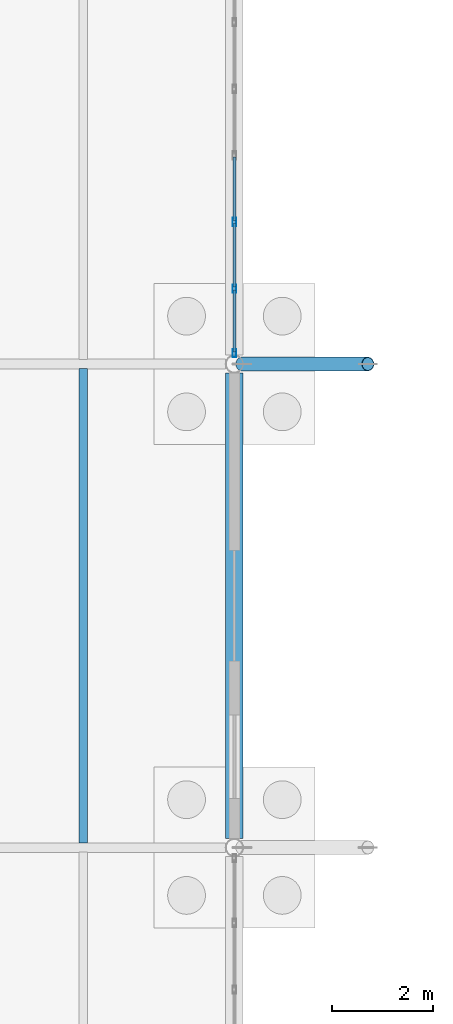
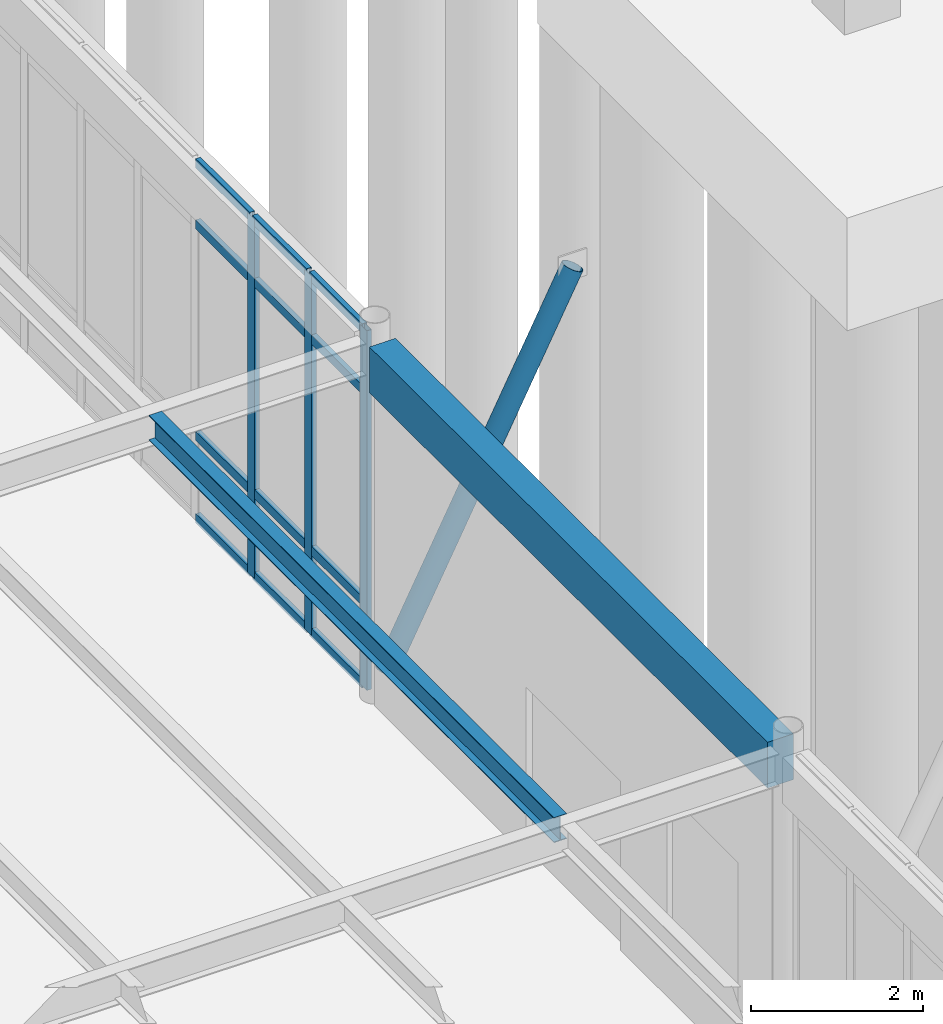
# One storey, part 33 of 188: 16 members, 2 beams, 1 element without a shape of its own.
"""IFC4 building model written with IfcOpenShell, lengths in metres."""

from ifc_helpers import new_model, si_unit, direction, frame, origin, origin_2d, place, context, subcontext, project, spatial, rectangle, hollow_rectangle, hollow_circle, i_section, extrude, material, layer, layer_set, material_profile, profile_set, type_object, element, aggregate, save


model = new_model("IFC4")

# Units and contexts
model_context = context("Model", 3, precision=1e-05, world=origin(), true_north=direction((0.0, 1.0)))
body_context = subcontext(model_context, "Body", "Model", "MODEL_VIEW")
ifc_project = project(units=[si_unit("LENGTHUNIT", "METRE"), si_unit("AREAUNIT", "SQUARE_METRE"), si_unit("VOLUMEUNIT", "CUBIC_METRE"), si_unit("PLANEANGLEUNIT", "RADIAN"), si_unit("MASSUNIT", "GRAM", prefix="KILO")], contexts=[model_context])

# Site, building, storey
site_placement = place(None, origin())
site = spatial("IfcSite", under=ifc_project, at=site_placement, CompositionType="ELEMENT")
building_placement = place(site_placement, origin())
building = spatial("IfcBuilding", under=site, at=building_placement, Name="Pandanus Reach Market Hall", CompositionType="ELEMENT")
storey_placement = place(building_placement, origin())
storey = spatial("IfcBuildingStorey", under=building, at=storey_placement, Name="L00", CompositionType="ELEMENT", Elevation=0.0)

# Beam
ifc_material_1 = material(Name="Concrete N40 (40 MPa)", Category="concrete")
ifc_material_profile_1 = material_profile(ifc_material_1, rectangle(XDim=0.35009765625, YDim=0.64990234375, at=origin_2d()), Name="RC350x650", Category="LoadBearing")
ifc_profile_set_1 = profile_set([ifc_material_profile_1], Name="Concrete N40 (40 MPa)")
beam_type_1 = type_object("IfcBeamType", Name="BM-RC350-E", PredefinedType="SPANDREL", material=ifc_profile_set_1)
beam_1_placement = place(storey_placement, frame((36.0, 9.77587890625, 4.784912109375), z_axis=(0.0, 1.0, 0.0), x_axis=(-1.0, 0.0, 0.0)))
element("IfcBeam", 1, at=beam_1_placement, inside=storey, type_object=beam_type_1, Name="Framing beam BM-RC350-E L00.943", PredefinedType="SPANDREL", context=body_context, shape_type="SweptSolid", body=[
    extrude(rectangle(XDim=0.35009765625, YDim=0.64990234375, at=origin_2d()), origin(), (0.0, 0.0, 1.0), 9.248291015625),
])

# Curtain wall, members
ifc_material_2 = material(Name="Bronze anodised aluminium and low-E glass", Category="aluminium")
ifc_layer = layer(ifc_material_2, 0.159912109375, Name="CW-14")
ifc_layer_set = layer_set([ifc_layer], Name="Bronze anodised aluminium and low-E glass")
curtain_wall_type = type_object("IfcCurtainWallType", Name="CW-14", PredefinedType="NOTDEFINED", material=ifc_layer_set)
curtain_wall_placement = place(storey_placement, origin())
curtain_wall = element("IfcCurtainWall", 2, at=curtain_wall_placement, inside=storey, type_object=curtain_wall_type, Name="Glazed curtain wall CW-14 CW-0053", PredefinedType="NOTDEFINED")
ifc_material_3 = material(Name="Bronze anodised aluminium", Category="aluminium")
ifc_material_profile_2 = material_profile(ifc_material_3, hollow_rectangle(XDim=0.06494140625, YDim=0.159912109375, WallThickness=0.00390625, at=origin_2d()), Name="ALU65x160", Category="LoadBearing")
ifc_profile_set_2 = profile_set([ifc_material_profile_2], Name="Bronze anodised aluminium")
member_type_1 = type_object("IfcMemberType", Name="CW-M1", PredefinedType="MULLION", material=ifc_profile_set_2)
member_1_placement = place(storey_placement, frame((36.0, 19.410400390625, 0.0), z_axis=(0.0, 0.0, 1.0), x_axis=(-1.0, 0.0, 0.0)))
member_1 = element("IfcMember", 3, at=member_1_placement, type_object=member_type_1, Name="CW-14 mullion 1", PredefinedType="MULLION", context=body_context, shape_type="SweptSolid", body=[
    extrude(hollow_rectangle(XDim=0.06494140625, YDim=0.159912109375, WallThickness=0.00390625, at=origin_2d()), origin(), (0.0, 0.0, 1.0), 5.10009765625),
])
member_2_placement = place(storey_placement, frame((36.0, 20.698486328125, 0.0), z_axis=(0.0, 0.0, 1.0), x_axis=(-1.0, 0.0, 0.0)))
member_2 = element("IfcMember", 4, at=member_2_placement, type_object=member_type_1, Name="CW-14 mullion 2", PredefinedType="MULLION", context=body_context, shape_type="SweptSolid", body=[
    extrude(hollow_rectangle(XDim=0.06494140625, YDim=0.159912109375, WallThickness=0.00390625, at=origin_2d()), origin(), (0.0, 0.0, 1.0), 5.10009765625),
])
member_3_placement = place(storey_placement, frame((36.0, 22.01904296875, 0.0), z_axis=(0.0, 0.0, 1.0), x_axis=(-1.0, 0.0, 0.0)))
member_3 = element("IfcMember", 5, at=member_3_placement, type_object=member_type_1, Name="CW-14 mullion 3", PredefinedType="MULLION", context=body_context, shape_type="SweptSolid", body=[
    extrude(hollow_rectangle(XDim=0.06494140625, YDim=0.159912109375, WallThickness=0.00390625, at=origin_2d()), origin(), (0.0, 0.0, 1.0), 5.10009765625),
])
ifc_material_profile_3 = material_profile(ifc_material_3, hollow_rectangle(XDim=0.06494140625, YDim=0.1298828125, WallThickness=0.00390625, at=origin_2d()), Name="ALU65x130", Category="LoadBearing")
ifc_profile_set_3 = profile_set([ifc_material_profile_3], Name="Bronze anodised aluminium")
member_type_2 = type_object("IfcMemberType", Name="CW-T1", PredefinedType="USERDEFINED", material=ifc_profile_set_3)
member_4_placement = place(storey_placement, frame((36.0, 19.44287109375, 0.032470703125), z_axis=(0.0, 1.0, 0.0), x_axis=(-1.0, 0.0, 0.0)))
member_4 = element("IfcMember", 6, at=member_4_placement, type_object=member_type_2, Name="CW-14 transom 1.1", ObjectType="TRANSOM", PredefinedType="USERDEFINED", context=body_context, shape_type="SweptSolid", body=[
    extrude(hollow_rectangle(XDim=0.06494140625, YDim=0.1298828125, WallThickness=0.00390625, at=origin_2d()), origin(), (0.0, 0.0, 1.0), 1.22314453125),
])
member_5_placement = place(storey_placement, frame((36.0, 19.44287109375, 1.199951171875), z_axis=(0.0, 1.0, 0.0), x_axis=(-1.0, 0.0, 0.0)))
member_5 = element("IfcMember", 7, at=member_5_placement, type_object=member_type_2, Name="CW-14 transom 1.2", ObjectType="TRANSOM", PredefinedType="USERDEFINED", context=body_context, shape_type="SweptSolid", body=[
    extrude(hollow_rectangle(XDim=0.06494140625, YDim=0.1298828125, WallThickness=0.00390625, at=origin_2d()), origin(), (0.0, 0.0, 1.0), 1.22314453125),
])
member_6_placement = place(storey_placement, frame((36.0, 19.44287109375, 4.199951171875), z_axis=(0.0, 1.0, 0.0), x_axis=(-1.0, 0.0, 0.0)))
member_6 = element("IfcMember", 8, at=member_6_placement, type_object=member_type_2, Name="CW-14 transom 1.3", ObjectType="TRANSOM", PredefinedType="USERDEFINED", context=body_context, shape_type="SweptSolid", body=[
    extrude(hollow_rectangle(XDim=0.06494140625, YDim=0.1298828125, WallThickness=0.00390625, at=origin_2d()), origin(), (0.0, 0.0, 1.0), 1.22314453125),
])
member_7_placement = place(storey_placement, frame((36.0, 19.44287109375, 5.0673828125), z_axis=(0.0, 1.0, 0.0), x_axis=(-1.0, 0.0, 0.0)))
member_7 = element("IfcMember", 9, at=member_7_placement, type_object=member_type_2, Name="CW-14 transom 1.4", ObjectType="TRANSOM", PredefinedType="USERDEFINED", context=body_context, shape_type="SweptSolid", body=[
    extrude(hollow_rectangle(XDim=0.06494140625, YDim=0.1298828125, WallThickness=0.00390625, at=origin_2d()), origin(), (0.0, 0.0, 1.0), 1.22314453125),
])
member_8_placement = place(storey_placement, frame((36.0, 20.73095703125, 0.032470703125), z_axis=(0.0, 1.0, 0.0), x_axis=(-1.0, 0.0, 0.0)))
member_8 = element("IfcMember", 10, at=member_8_placement, type_object=member_type_2, Name="CW-14 transom 2.1", ObjectType="TRANSOM", PredefinedType="USERDEFINED", context=body_context, shape_type="SweptSolid", body=[
    extrude(hollow_rectangle(XDim=0.06494140625, YDim=0.1298828125, WallThickness=0.00390625, at=origin_2d()), origin(), (0.0, 0.0, 1.0), 1.255615234375),
])
member_9_placement = place(storey_placement, frame((36.0, 20.73095703125, 1.199951171875), z_axis=(0.0, 1.0, 0.0), x_axis=(-1.0, 0.0, 0.0)))
member_9 = element("IfcMember", 11, at=member_9_placement, type_object=member_type_2, Name="CW-14 transom 2.2", ObjectType="TRANSOM", PredefinedType="USERDEFINED", context=body_context, shape_type="SweptSolid", body=[
    extrude(hollow_rectangle(XDim=0.06494140625, YDim=0.1298828125, WallThickness=0.00390625, at=origin_2d()), origin(), (0.0, 0.0, 1.0), 1.255615234375),
])
member_10_placement = place(storey_placement, frame((36.0, 20.73095703125, 4.199951171875), z_axis=(0.0, 1.0, 0.0), x_axis=(-1.0, 0.0, 0.0)))
member_10 = element("IfcMember", 12, at=member_10_placement, type_object=member_type_2, Name="CW-14 transom 2.3", ObjectType="TRANSOM", PredefinedType="USERDEFINED", context=body_context, shape_type="SweptSolid", body=[
    extrude(hollow_rectangle(XDim=0.06494140625, YDim=0.1298828125, WallThickness=0.00390625, at=origin_2d()), origin(), (0.0, 0.0, 1.0), 1.255615234375),
])
member_11_placement = place(storey_placement, frame((36.0, 20.73095703125, 5.0673828125), z_axis=(0.0, 1.0, 0.0), x_axis=(-1.0, 0.0, 0.0)))
member_11 = element("IfcMember", 13, at=member_11_placement, type_object=member_type_2, Name="CW-14 transom 2.4", ObjectType="TRANSOM", PredefinedType="USERDEFINED", context=body_context, shape_type="SweptSolid", body=[
    extrude(hollow_rectangle(XDim=0.06494140625, YDim=0.1298828125, WallThickness=0.00390625, at=origin_2d()), origin(), (0.0, 0.0, 1.0), 1.255615234375),
])
member_12_placement = place(storey_placement, frame((36.0, 22.051513671875, 0.032470703125), z_axis=(0.0, 1.0, 0.0), x_axis=(-1.0, 0.0, 0.0)))
member_12 = element("IfcMember", 14, at=member_12_placement, type_object=member_type_2, Name="CW-14 transom 3.1", ObjectType="TRANSOM", PredefinedType="USERDEFINED", context=body_context, shape_type="SweptSolid", body=[
    extrude(hollow_rectangle(XDim=0.06494140625, YDim=0.1298828125, WallThickness=0.00390625, at=origin_2d()), origin(), (0.0, 0.0, 1.0), 1.255615234375),
])
member_13_placement = place(storey_placement, frame((36.0, 22.051513671875, 1.199951171875), z_axis=(0.0, 1.0, 0.0), x_axis=(-1.0, 0.0, 0.0)))
member_13 = element("IfcMember", 15, at=member_13_placement, type_object=member_type_2, Name="CW-14 transom 3.2", ObjectType="TRANSOM", PredefinedType="USERDEFINED", context=body_context, shape_type="SweptSolid", body=[
    extrude(hollow_rectangle(XDim=0.06494140625, YDim=0.1298828125, WallThickness=0.00390625, at=origin_2d()), origin(), (0.0, 0.0, 1.0), 1.255615234375),
])
member_14_placement = place(storey_placement, frame((36.0, 22.051513671875, 4.199951171875), z_axis=(0.0, 1.0, 0.0), x_axis=(-1.0, 0.0, 0.0)))
member_14 = element("IfcMember", 16, at=member_14_placement, type_object=member_type_2, Name="CW-14 transom 3.3", ObjectType="TRANSOM", PredefinedType="USERDEFINED", context=body_context, shape_type="SweptSolid", body=[
    extrude(hollow_rectangle(XDim=0.06494140625, YDim=0.1298828125, WallThickness=0.00390625, at=origin_2d()), origin(), (0.0, 0.0, 1.0), 1.255615234375),
])
member_15_placement = place(storey_placement, frame((36.0, 22.051513671875, 5.0673828125), z_axis=(0.0, 1.0, 0.0), x_axis=(-1.0, 0.0, 0.0)))
member_15 = element("IfcMember", 17, at=member_15_placement, type_object=member_type_2, Name="CW-14 transom 3.4", ObjectType="TRANSOM", PredefinedType="USERDEFINED", context=body_context, shape_type="SweptSolid", body=[
    extrude(hollow_rectangle(XDim=0.06494140625, YDim=0.1298828125, WallThickness=0.00390625, at=origin_2d()), origin(), (0.0, 0.0, 1.0), 1.255615234375),
])
aggregate(curtain_wall, [member_1, member_2, member_3, member_4, member_5, member_6, member_7, member_8, member_9, member_10, member_11, member_12, member_13, member_14, member_15])

# Beam
ifc_material_4 = material(Name="Steel Grade 350 (350 MPa)", Category="steel")
ifc_material_profile_4 = material_profile(ifc_material_4, i_section(OverallWidth=0.1708984375, OverallDepth=0.35595703125, WebThickness=0.00732421875, FlangeThickness=0.011474609375, at=origin_2d()), Name="360UB50.7", Category="LoadBearing")
ifc_profile_set_4 = profile_set([ifc_material_profile_4], Name="Steel Grade 350 (350 MPa)")
beam_type_2 = type_object("IfcBeamType", Name="JS-UB360-I", PredefinedType="JOIST", material=ifc_profile_set_4)
beam_2_placement = place(storey_placement, frame((33.0, 9.693115234375, 4.931640625), z_axis=(0.0, 1.0, 0.0), x_axis=(-1.0, 0.0, 0.0)))
element("IfcBeam", 18, at=beam_2_placement, inside=storey, type_object=beam_type_2, Name="Secondary joist JS-UB360-I L00.962", PredefinedType="JOIST", context=body_context, shape_type="SweptSolid", body=[
    extrude(i_section(OverallWidth=0.1708984375, OverallDepth=0.35595703125, WebThickness=0.00732421875, FlangeThickness=0.011474609375, at=origin_2d()), origin(), (0.0, 0.0, 1.0), 9.413818359375),
])

# Member
ifc_material_profile_5 = material_profile(ifc_material_4, hollow_circle(Radius=0.136474609375, WallThickness=0.00927734375, at=origin_2d()), Name="273.1x9.3CHS", Category="LoadBearing")
ifc_profile_set_5 = profile_set([ifc_material_profile_5], Name="Steel Grade 350 (350 MPa)")
member_type_3 = type_object("IfcMemberType", Name="VS-CHS273-E", PredefinedType="STRUT", material=ifc_profile_set_5)
member_16_placement = place(storey_placement, frame((36.14990234375, 19.199951171875, 0.300048828125), z_axis=(0.457059548562, 0.0, 0.889436096113), x_axis=(0.0, 1.0, 0.0)))
element("IfcMember", 19, at=member_16_placement, inside=storey, type_object=member_type_3, Name="Verandah splayed steel strut L00 Y=19.2", PredefinedType="STRUT", context=body_context, shape_type="SweptSolid", body=[
    extrude(hollow_circle(Radius=0.136474609375, WallThickness=0.00927734375, at=origin_2d()), origin(), (0.0, 0.0, 1.0), 5.4697265625),
])

save(model, "model.ifc")
